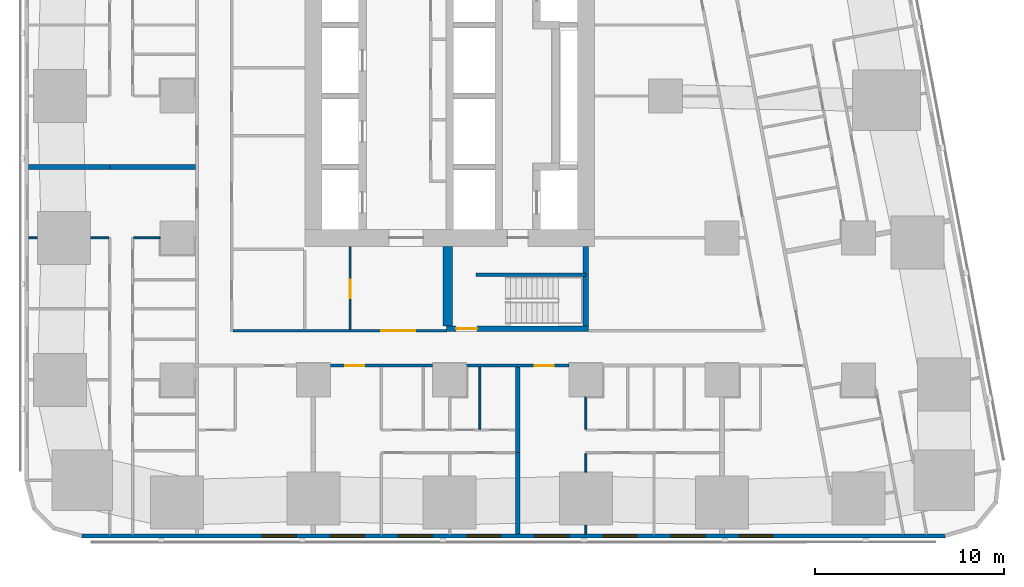
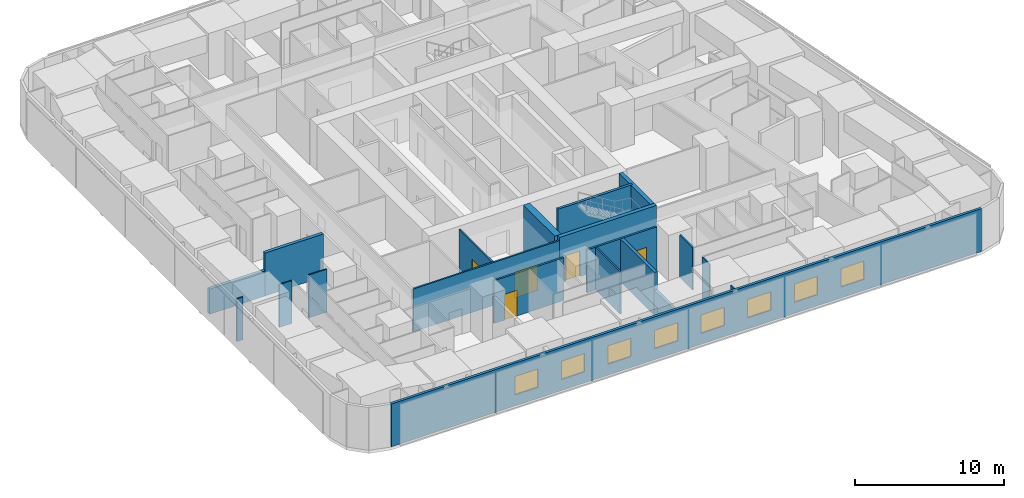
# One storey, part 3 of 18: 20 walls, 8 windows, 5 doors, 13 openings.
"""IFC4 building model written with IfcOpenShell, lengths in metres."""

from ifc_helpers import new_model, si_unit, direction, frame, frame_2d, origin, place, context, subcontext, project, spatial, rectangle, extrude, material, layer, layer_set, type_object, element, fill, save


model = new_model("IFC4")

# Units and contexts
model_context = context("Model", 3, precision=1e-05, world=origin(), true_north=direction((0.0, 1.0)))
body_context = subcontext(model_context, "Body", "Model", "MODEL_VIEW")
ifc_project = project(units=[si_unit("LENGTHUNIT", "METRE"), si_unit("AREAUNIT", "SQUARE_METRE"), si_unit("VOLUMEUNIT", "CUBIC_METRE"), si_unit("PLANEANGLEUNIT", "RADIAN"), si_unit("MASSUNIT", "GRAM", prefix="KILO")], contexts=[model_context])

# Site, building, storey
site_placement = place(None, origin())
site = spatial("IfcSite", under=ifc_project, at=site_placement, CompositionType="ELEMENT")
building_placement = place(site_placement, origin())
building = spatial("IfcBuilding", under=site, at=building_placement, Name="Sheger Commons Tower", CompositionType="ELEMENT")
storey_placement = place(building_placement, frame((0.0, 0.0, 31.25)))
storey = spatial("IfcBuildingStorey", under=building, at=storey_placement, Name="L07", CompositionType="ELEMENT", Elevation=31.25)

# Wall, opening, door
ifc_material_1 = material(Name="Hollow concrete block masonry, skimmed both sides", Category="masonry")
ifc_layer_1 = layer(ifc_material_1, 0.14990234375)
ifc_layer_set_1 = layer_set([ifc_layer_1], Name="CORRIDOR WALL 150")
wall_type_1 = type_object("IfcWallType", Name="CORRIDOR WALL 150", PredefinedType="SOLIDWALL", material=ifc_layer_set_1)
wall_1_placement = place(storey_placement, frame((27.89892578125, 8.25, 0.0), z_axis=(0.0, 0.0, 1.0), x_axis=(-1.0, 0.0, 0.0)))
wall_1 = element("IfcWall", 1, at=wall_1_placement, inside=storey, type_object=wall_type_1, Name="Corridor wall L07", PredefinedType="SOLIDWALL", context=body_context, shape_type="SweptSolid", body=[
    extrude(rectangle(XDim=5.39794921875, YDim=0.14990234375, at=frame_2d((2.698974609375, 0.0))), origin(), (0.0, 0.0, 1.0), 3.5),
])
opening_1_placement = place(wall_1_placement, frame((0.799072265625, 0.0, 0.0)))
opening_1 = element("IfcOpeningElement", 2, at=opening_1_placement, cuts=wall_1, Name="Opening D1", PredefinedType="OPENING", context=body_context, shape_type="SweptSolid", body=[
    extrude(rectangle(XDim=1.0, YDim=2.10009765625, at=frame_2d((0.5, 1.050048828125))), frame((0.0, 0.0849609375, 0.0), z_axis=(0.0, -1.0, 0.0), x_axis=(1.0, 0.0, 0.0)), (0.0, 0.0, 1.0), 0.169921875),
])
ifc_material_2 = material(Name="Steel door set, fire rated", Category="steel")
door_type_1 = type_object("IfcDoorType", Name="FLAT ENTRANCE DOOR 1000x2100", OperationType="NOTDEFINED", PredefinedType="DOOR", material=ifc_material_2)
door_1_placement = place(opening_1_placement, origin())
door_1 = element("IfcDoor", 3, at=door_1_placement, inside=storey, type_object=door_type_1, Name="Flat entrance door", OperationType="SINGLE_SWING_LEFT", OverallHeight=2.10009765625, OverallWidth=1.0, PredefinedType="DOOR", context=body_context, shape_type="SweptSolid", body=[
    extrude(rectangle(XDim=1.0, YDim=2.10009765625, at=frame_2d((0.5, 1.050048828125))), frame((0.0, 0.02490234375, 0.0), z_axis=(0.0, -1.0, 0.0), x_axis=(1.0, 0.0, 0.0)), (0.0, 0.0, 1.0), 0.050048828125),
])
fill(opening_1, door_1)

wall_2_placement = place(storey_placement, frame((20.698974609375, 8.25, 0.0), z_axis=(0.0, 0.0, 1.0), x_axis=(-1.0, 0.0, 0.0)))
wall_2 = element("IfcWall", 4, at=wall_2_placement, inside=storey, type_object=wall_type_1, Name="Corridor wall L07", PredefinedType="SOLIDWALL", context=body_context, shape_type="SweptSolid", body=[
    extrude(rectangle(XDim=5.39794921875, YDim=0.14990234375, at=frame_2d((2.698974609375, 0.0))), origin(), (0.0, 0.0, 1.0), 3.5),
])
opening_2_placement = place(wall_2_placement, frame((3.59912109375, 0.0, 0.0)))
opening_2 = element("IfcOpeningElement", 5, at=opening_2_placement, cuts=wall_2, Name="Opening D1", PredefinedType="OPENING", context=body_context, shape_type="SweptSolid", body=[
    extrude(rectangle(XDim=1.0, YDim=2.10009765625, at=frame_2d((0.5, 1.050048828125))), frame((0.0, 0.0849609375, 0.0), z_axis=(0.0, -1.0, 0.0), x_axis=(1.0, 0.0, 0.0)), (0.0, 0.0, 1.0), 0.169921875),
])
door_2_placement = place(opening_2_placement, origin())
door_2 = element("IfcDoor", 6, at=door_2_placement, inside=storey, type_object=door_type_1, Name="Flat entrance door", OperationType="SINGLE_SWING_RIGHT", OverallHeight=2.10009765625, OverallWidth=1.0, PredefinedType="DOOR", context=body_context, shape_type="SweptSolid", body=[
    extrude(rectangle(XDim=1.0, YDim=2.10009765625, at=frame_2d((0.5, 1.050048828125))), frame((0.0, 0.02490234375, 0.0), z_axis=(0.0, -1.0, 0.0), x_axis=(1.0, 0.0, 0.0)), (0.0, 0.0, 1.0), 0.050048828125),
])
fill(opening_2, door_2)

# Walls
ifc_material_3 = material(Name="Dense concrete block masonry, plastered both sides (separating wall between flats)", Category="masonry")
ifc_layer_2 = layer(ifc_material_3, 0.25)
ifc_layer_set_2 = layer_set([ifc_layer_2], Name="DEMISING WALL 250")
wall_type_2 = type_object("IfcWallType", Name="DEMISING WALL 250", PredefinedType="SOLIDWALL", material=ifc_layer_set_2)
wall_3_placement = place(storey_placement, frame((-0.64990234375, 18.75, 0.0), z_axis=(0.0, 0.0, 1.0), x_axis=(1.0, 0.0, 0.0)))
element("IfcWall", 7, at=wall_3_placement, inside=storey, type_object=wall_type_2, Name="Demising wall L07", PredefinedType="SOLIDWALL", context=body_context, shape_type="SweptSolid", body=[
    extrude(rectangle(XDim=4.2998046875, YDim=0.25, at=frame_2d((2.14990234375, 0.0))), origin(), (0.0, 0.0, 1.0), 2.050048828125),
])
wall_4_placement = place(storey_placement, frame((3.64990234375, 18.75, 0.0), z_axis=(0.0, 0.0, 1.0), x_axis=(1.0, 0.0, 0.0)))
element("IfcWall", 8, at=wall_4_placement, inside=storey, type_object=wall_type_2, Name="Demising wall L07", PredefinedType="SOLIDWALL", context=body_context, shape_type="SweptSolid", body=[
    extrude(rectangle(XDim=4.525146484375, YDim=0.25, at=frame_2d((2.2626953125, 0.0))), origin(), (0.0, 0.0, 1.0), 3.5),
])
wall_5_placement = place(storey_placement, frame((25.199951171875, -0.64990234375, 0.0), z_axis=(0.0, 0.0, 1.0), x_axis=(0.0, 1.0, 0.0)))
element("IfcWall", 9, at=wall_5_placement, inside=storey, type_object=wall_type_2, Name="Demising wall L07", PredefinedType="SOLIDWALL", context=body_context, shape_type="SweptSolid", body=[
    extrude(rectangle(XDim=4.2998046875, YDim=0.25, at=frame_2d((2.14990234375, 0.0))), origin(), (0.0, 0.0, 1.0), 2.050048828125),
])
wall_6_placement = place(storey_placement, frame((25.199951171875, 3.64990234375, 0.0), z_axis=(0.0, 0.0, 1.0), x_axis=(0.0, 1.0, 0.0)))
element("IfcWall", 10, at=wall_6_placement, inside=storey, type_object=wall_type_2, Name="Demising wall L07", PredefinedType="SOLIDWALL", context=body_context, shape_type="SweptSolid", body=[
    extrude(rectangle(XDim=4.525146484375, YDim=0.25, at=frame_2d((2.2626953125, 0.0))), origin(), (0.0, 0.0, 1.0), 3.5),
])

# Wall, openings, windows
ifc_material_4 = material(Name="Rendered concrete block masonry, dark grey", Category="masonry")
ifc_layer_3 = layer(ifc_material_4, 0.199951171875)
ifc_layer_set_3 = layer_set([ifc_layer_3], Name="FACADE WALL 200")
wall_type_3 = type_object("IfcWallType", Name="FACADE WALL 200", PredefinedType="SOLIDWALL", material=ifc_layer_set_3)
wall_7_placement = place(storey_placement, frame((2.1630859375, -0.75, 0.0), z_axis=(0.0, 0.0, 1.0), x_axis=(1.0, 0.0, 0.0)))
wall_7 = element("IfcWall", 11, at=wall_7_placement, inside=storey, type_object=wall_type_3, Name="Facade wall L07", PredefinedType="SOLIDWALL", context=body_context, shape_type="SweptSolid", body=[
    extrude(rectangle(XDim=45.6279296875, YDim=0.199951171875, at=frame_2d((22.81396484375, 0.0))), origin(), (0.0, 0.0, 1.0), 3.5),
])
opening_3_placement = place(wall_7_placement, frame((9.537109375, 0.0, 0.89990234375)))
opening_3 = element("IfcOpeningElement", 12, at=opening_3_placement, cuts=wall_7, Name="Opening W2", PredefinedType="OPENING", context=body_context, shape_type="SweptSolid", body=[
    extrude(rectangle(XDim=1.800048828125, YDim=1.5, at=frame_2d((0.89990234375, 0.75))), frame((0.0, 0.10986328125, 0.0), z_axis=(0.0, -1.0, 0.0), x_axis=(1.0, 0.0, 0.0)), (0.0, 0.0, 1.0), 0.219970703125),
])
opening_4_placement = place(wall_7_placement, frame((13.136962890625, 0.0, 0.89990234375)))
opening_4 = element("IfcOpeningElement", 13, at=opening_4_placement, cuts=wall_7, Name="Opening W2", PredefinedType="OPENING", context=body_context, shape_type="SweptSolid", body=[
    extrude(rectangle(XDim=1.800048828125, YDim=1.5, at=frame_2d((0.89990234375, 0.75))), frame((0.0, 0.10986328125, 0.0), z_axis=(0.0, -1.0, 0.0), x_axis=(1.0, 0.0, 0.0)), (0.0, 0.0, 1.0), 0.219970703125),
])
opening_5_placement = place(wall_7_placement, frame((16.737060546875, 0.0, 0.89990234375)))
opening_5 = element("IfcOpeningElement", 14, at=opening_5_placement, cuts=wall_7, Name="Opening W2", PredefinedType="OPENING", context=body_context, shape_type="SweptSolid", body=[
    extrude(rectangle(XDim=1.800048828125, YDim=1.5, at=frame_2d((0.89990234375, 0.75))), frame((0.0, 0.10986328125, 0.0), z_axis=(0.0, -1.0, 0.0), x_axis=(1.0, 0.0, 0.0)), (0.0, 0.0, 1.0), 0.219970703125),
])
opening_6_placement = place(wall_7_placement, frame((20.3369140625, 0.0, 0.89990234375)))
opening_6 = element("IfcOpeningElement", 15, at=opening_6_placement, cuts=wall_7, Name="Opening W2", PredefinedType="OPENING", context=body_context, shape_type="SweptSolid", body=[
    extrude(rectangle(XDim=1.800048828125, YDim=1.5, at=frame_2d((0.89990234375, 0.75))), frame((0.0, 0.10986328125, 0.0), z_axis=(0.0, -1.0, 0.0), x_axis=(1.0, 0.0, 0.0)), (0.0, 0.0, 1.0), 0.219970703125),
])
opening_7_placement = place(wall_7_placement, frame((23.93701171875, 0.0, 0.89990234375)))
opening_7 = element("IfcOpeningElement", 16, at=opening_7_placement, cuts=wall_7, Name="Opening W2", PredefinedType="OPENING", context=body_context, shape_type="SweptSolid", body=[
    extrude(rectangle(XDim=1.800048828125, YDim=1.5, at=frame_2d((0.89990234375, 0.75))), frame((0.0, 0.10986328125, 0.0), z_axis=(0.0, -1.0, 0.0), x_axis=(1.0, 0.0, 0.0)), (0.0, 0.0, 1.0), 0.219970703125),
])
opening_8_placement = place(wall_7_placement, frame((27.537109375, 0.0, 0.89990234375)))
opening_8 = element("IfcOpeningElement", 17, at=opening_8_placement, cuts=wall_7, Name="Opening W2", PredefinedType="OPENING", context=body_context, shape_type="SweptSolid", body=[
    extrude(rectangle(XDim=1.800048828125, YDim=1.5, at=frame_2d((0.89990234375, 0.75))), frame((0.0, 0.10986328125, 0.0), z_axis=(0.0, -1.0, 0.0), x_axis=(1.0, 0.0, 0.0)), (0.0, 0.0, 1.0), 0.219970703125),
])
opening_9_placement = place(wall_7_placement, frame((31.136962890625, 0.0, 0.89990234375)))
opening_9 = element("IfcOpeningElement", 18, at=opening_9_placement, cuts=wall_7, Name="Opening W2", PredefinedType="OPENING", context=body_context, shape_type="SweptSolid", body=[
    extrude(rectangle(XDim=1.800048828125, YDim=1.5, at=frame_2d((0.89990234375, 0.75))), frame((0.0, 0.10986328125, 0.0), z_axis=(0.0, -1.0, 0.0), x_axis=(1.0, 0.0, 0.0)), (0.0, 0.0, 1.0), 0.219970703125),
])
opening_10_placement = place(wall_7_placement, frame((34.737060546875, 0.0, 0.89990234375)))
opening_10 = element("IfcOpeningElement", 19, at=opening_10_placement, cuts=wall_7, Name="Opening W2", PredefinedType="OPENING", context=body_context, shape_type="SweptSolid", body=[
    extrude(rectangle(XDim=1.800048828125, YDim=1.5, at=frame_2d((0.89990234375, 0.75))), frame((0.0, 0.10986328125, 0.0), z_axis=(0.0, -1.0, 0.0), x_axis=(1.0, 0.0, 0.0)), (0.0, 0.0, 1.0), 0.219970703125),
])
ifc_material_5 = material(Name="Black aluminium frame, dark tinted double glazing", Category="aluminium")
window_type = type_object("IfcWindowType", Name="WINDOW W2 1800x1500", PartitioningType="SINGLE_PANEL", PredefinedType="WINDOW", material=ifc_material_5)
window_1_placement = place(opening_3_placement, origin())
window_1 = element("IfcWindow", 20, at=window_1_placement, inside=storey, type_object=window_type, Name="Window W2 1800X1500", OverallHeight=1.5, OverallWidth=1.800048828125, PartitioningType="SINGLE_PANEL", PredefinedType="WINDOW", context=body_context, shape_type="SweptSolid", body=[
    extrude(rectangle(XDim=1.800048828125, YDim=1.5, at=frame_2d((0.89990234375, 0.75))), frame((0.0, 0.030029296875, 0.0), z_axis=(0.0, -1.0, 0.0), x_axis=(1.0, 0.0, 0.0)), (0.0, 0.0, 1.0), 0.06005859375),
])
fill(opening_3, window_1)
window_2_placement = place(opening_4_placement, origin())
window_2 = element("IfcWindow", 21, at=window_2_placement, inside=storey, type_object=window_type, Name="Window W2 1800X1500", OverallHeight=1.5, OverallWidth=1.800048828125, PartitioningType="SINGLE_PANEL", PredefinedType="WINDOW", context=body_context, shape_type="SweptSolid", body=[
    extrude(rectangle(XDim=1.800048828125, YDim=1.5, at=frame_2d((0.89990234375, 0.75))), frame((0.0, 0.030029296875, 0.0), z_axis=(0.0, -1.0, 0.0), x_axis=(1.0, 0.0, 0.0)), (0.0, 0.0, 1.0), 0.06005859375),
])
fill(opening_4, window_2)
window_3_placement = place(opening_5_placement, origin())
window_3 = element("IfcWindow", 22, at=window_3_placement, inside=storey, type_object=window_type, Name="Window W2 1800X1500", OverallHeight=1.5, OverallWidth=1.800048828125, PartitioningType="SINGLE_PANEL", PredefinedType="WINDOW", context=body_context, shape_type="SweptSolid", body=[
    extrude(rectangle(XDim=1.800048828125, YDim=1.5, at=frame_2d((0.89990234375, 0.75))), frame((0.0, 0.030029296875, 0.0), z_axis=(0.0, -1.0, 0.0), x_axis=(1.0, 0.0, 0.0)), (0.0, 0.0, 1.0), 0.06005859375),
])
fill(opening_5, window_3)
window_4_placement = place(opening_6_placement, origin())
window_4 = element("IfcWindow", 23, at=window_4_placement, inside=storey, type_object=window_type, Name="Window W2 1800X1500", OverallHeight=1.5, OverallWidth=1.800048828125, PartitioningType="SINGLE_PANEL", PredefinedType="WINDOW", context=body_context, shape_type="SweptSolid", body=[
    extrude(rectangle(XDim=1.800048828125, YDim=1.5, at=frame_2d((0.89990234375, 0.75))), frame((0.0, 0.030029296875, 0.0), z_axis=(0.0, -1.0, 0.0), x_axis=(1.0, 0.0, 0.0)), (0.0, 0.0, 1.0), 0.06005859375),
])
fill(opening_6, window_4)
window_5_placement = place(opening_7_placement, origin())
window_5 = element("IfcWindow", 24, at=window_5_placement, inside=storey, type_object=window_type, Name="Window W2 1800X1500", OverallHeight=1.5, OverallWidth=1.800048828125, PartitioningType="SINGLE_PANEL", PredefinedType="WINDOW", context=body_context, shape_type="SweptSolid", body=[
    extrude(rectangle(XDim=1.800048828125, YDim=1.5, at=frame_2d((0.89990234375, 0.75))), frame((0.0, 0.030029296875, 0.0), z_axis=(0.0, -1.0, 0.0), x_axis=(1.0, 0.0, 0.0)), (0.0, 0.0, 1.0), 0.06005859375),
])
fill(opening_7, window_5)
window_6_placement = place(opening_8_placement, origin())
window_6 = element("IfcWindow", 25, at=window_6_placement, inside=storey, type_object=window_type, Name="Window W2 1800X1500", OverallHeight=1.5, OverallWidth=1.800048828125, PartitioningType="SINGLE_PANEL", PredefinedType="WINDOW", context=body_context, shape_type="SweptSolid", body=[
    extrude(rectangle(XDim=1.800048828125, YDim=1.5, at=frame_2d((0.89990234375, 0.75))), frame((0.0, 0.030029296875, 0.0), z_axis=(0.0, -1.0, 0.0), x_axis=(1.0, 0.0, 0.0)), (0.0, 0.0, 1.0), 0.06005859375),
])
fill(opening_8, window_6)
window_7_placement = place(opening_9_placement, origin())
window_7 = element("IfcWindow", 26, at=window_7_placement, inside=storey, type_object=window_type, Name="Window W2 1800X1500", OverallHeight=1.5, OverallWidth=1.800048828125, PartitioningType="SINGLE_PANEL", PredefinedType="WINDOW", context=body_context, shape_type="SweptSolid", body=[
    extrude(rectangle(XDim=1.800048828125, YDim=1.5, at=frame_2d((0.89990234375, 0.75))), frame((0.0, 0.030029296875, 0.0), z_axis=(0.0, -1.0, 0.0), x_axis=(1.0, 0.0, 0.0)), (0.0, 0.0, 1.0), 0.06005859375),
])
fill(opening_9, window_7)
window_8_placement = place(opening_10_placement, origin())
window_8 = element("IfcWindow", 27, at=window_8_placement, inside=storey, type_object=window_type, Name="Window W2 1800X1500", OverallHeight=1.5, OverallWidth=1.800048828125, PartitioningType="SINGLE_PANEL", PredefinedType="WINDOW", context=body_context, shape_type="SweptSolid", body=[
    extrude(rectangle(XDim=1.800048828125, YDim=1.5, at=frame_2d((0.89990234375, 0.75))), frame((0.0, 0.030029296875, 0.0), z_axis=(0.0, -1.0, 0.0), x_axis=(1.0, 0.0, 0.0)), (0.0, 0.0, 1.0), 0.06005859375),
])
fill(opening_10, window_8)

# Walls
ifc_material_6 = material(Name="Gypsum board on steel studs", Category="steel")
ifc_layer_4 = layer(ifc_material_6, 0.10009765625)
ifc_layer_set_4 = layer_set([ifc_layer_4], Name="PARTITION 100")
wall_type_4 = type_object("IfcWallType", Name="PARTITION 100", PredefinedType="PARTITIONING", material=ifc_layer_set_4)
wall_8_placement = place(storey_placement, frame((-0.64990234375, 15.0, 0.0), z_axis=(0.0, 0.0, 1.0), x_axis=(1.0, 0.0, 0.0)))
element("IfcWall", 28, at=wall_8_placement, inside=storey, type_object=wall_type_4, Name="Partition L07", PredefinedType="PARTITIONING", context=body_context, shape_type="SweptSolid", body=[
    extrude(rectangle(XDim=0.473876953125, YDim=0.10009765625, at=frame_2d((0.23681640625, 0.0))), origin(), (0.0, 0.0, 1.0), 3.5),
])
wall_9_placement = place(storey_placement, frame((2.6259765625, 15.0, 0.0), z_axis=(0.0, 0.0, 1.0), x_axis=(1.0, 0.0, 0.0)))
element("IfcWall", 29, at=wall_9_placement, inside=storey, type_object=wall_type_4, Name="Partition L07", PredefinedType="PARTITIONING", context=body_context, shape_type="SweptSolid", body=[
    extrude(rectangle(XDim=0.97412109375, YDim=0.10009765625, at=frame_2d((0.487060546875, 0.0))), origin(), (0.0, 0.0, 1.0), 3.5),
])
wall_10_placement = place(storey_placement, frame((4.89990234375, 15.0, 0.0), z_axis=(0.0, 0.0, 1.0), x_axis=(1.0, 0.0, 0.0)))
element("IfcWall", 30, at=wall_10_placement, inside=storey, type_object=wall_type_4, Name="Partition L07", PredefinedType="PARTITIONING", context=body_context, shape_type="SweptSolid", body=[
    extrude(rectangle(XDim=1.399169921875, YDim=0.10009765625, at=frame_2d((0.69970703125, 0.0))), origin(), (0.0, 0.0, 1.0), 3.5),
])
wall_11_placement = place(storey_placement, frame((23.199951171875, 4.89990234375, 0.0), z_axis=(0.0, 0.0, 1.0), x_axis=(0.0, 1.0, 0.0)))
element("IfcWall", 31, at=wall_11_placement, inside=storey, type_object=wall_type_4, Name="Partition L07", PredefinedType="PARTITIONING", context=body_context, shape_type="SweptSolid", body=[
    extrude(rectangle(XDim=3.275146484375, YDim=0.10009765625, at=frame_2d((1.6376953125, 0.0))), origin(), (0.0, 0.0, 1.0), 3.5),
])
wall_12_placement = place(storey_placement, frame((28.800048828125, -0.64990234375, 0.0), z_axis=(0.0, 0.0, 1.0), x_axis=(0.0, 1.0, 0.0)))
element("IfcWall", 32, at=wall_12_placement, inside=storey, type_object=wall_type_4, Name="Partition L07", PredefinedType="PARTITIONING", context=body_context, shape_type="SweptSolid", body=[
    extrude(rectangle(XDim=0.473876953125, YDim=0.10009765625, at=frame_2d((0.23681640625, 0.0))), origin(), (0.0, 0.0, 1.0), 3.5),
])
wall_13_placement = place(storey_placement, frame((28.800048828125, 2.6259765625, 0.0), z_axis=(0.0, 0.0, 1.0), x_axis=(0.0, 1.0, 0.0)))
element("IfcWall", 33, at=wall_13_placement, inside=storey, type_object=wall_type_4, Name="Partition L07", PredefinedType="PARTITIONING", context=body_context, shape_type="SweptSolid", body=[
    extrude(rectangle(XDim=0.97412109375, YDim=0.10009765625, at=frame_2d((0.487060546875, 0.0))), origin(), (0.0, 0.0, 1.0), 3.5),
])
wall_14_placement = place(storey_placement, frame((28.800048828125, 4.89990234375, 0.0), z_axis=(0.0, 0.0, 1.0), x_axis=(0.0, 1.0, 0.0)))
element("IfcWall", 34, at=wall_14_placement, inside=storey, type_object=wall_type_4, Name="Partition L07", PredefinedType="PARTITIONING", context=body_context, shape_type="SweptSolid", body=[
    extrude(rectangle(XDim=1.69921875, YDim=0.10009765625, at=frame_2d((0.849609375, 0.0))), origin(), (0.0, 0.0, 1.0), 3.5),
])

# Wall, opening, door
ifc_material_7 = material(Name="Gypsum board on steel studs, two layers each side, fire rated", Category="steel")
ifc_layer_5 = layer(ifc_material_7, 0.125)
ifc_layer_set_5 = layer_set([ifc_layer_5], Name="SERVICE WALL 125")
wall_type_5 = type_object("IfcWallType", Name="SERVICE WALL 125", PredefinedType="PARTITIONING", material=ifc_layer_set_5)
wall_15_placement = place(storey_placement, frame((10.1630859375, 10.10009765625, 0.0), z_axis=(0.0, 0.0, 1.0), x_axis=(1.0, 0.0, 0.0)))
wall_15 = element("IfcWall", 35, at=wall_15_placement, inside=storey, type_object=wall_type_5, Name="Service room wall L07", PredefinedType="PARTITIONING", context=body_context, shape_type="SweptSolid", body=[
    extrude(rectangle(XDim=11.286865234375, YDim=0.125, at=frame_2d((5.6435546875, 0.0))), origin(), (0.0, 0.0, 1.0), 3.5),
])
opening_11_placement = place(wall_15_placement, frame((7.83203125, 0.0, 0.0)))
opening_11 = element("IfcOpeningElement", 36, at=opening_11_placement, cuts=wall_15, Name="Opening D6", PredefinedType="OPENING", context=body_context, shape_type="SweptSolid", body=[
    extrude(rectangle(XDim=1.800048828125, YDim=2.10009765625, at=frame_2d((0.89990234375, 1.050048828125))), frame((0.0, 0.072509765625, 0.0), z_axis=(0.0, -1.0, 0.0), x_axis=(1.0, 0.0, 0.0)), (0.0, 0.0, 1.0), 0.14501953125),
])
ifc_material_8 = material(Name="Steel door set, fire rated", Category="steel")
door_type_2 = type_object("IfcDoorType", Name="LOBBY DOUBLE DOOR 1800x2100", OperationType="DOUBLE_DOOR_SINGLE_SWING", PredefinedType="DOOR", material=ifc_material_8)
door_3_placement = place(opening_11_placement, origin())
door_3 = element("IfcDoor", 37, at=door_3_placement, inside=storey, type_object=door_type_2, Name="Lift lobby south door", OperationType="DOUBLE_DOOR_SINGLE_SWING", OverallHeight=2.10009765625, OverallWidth=1.800048828125, PredefinedType="DOOR", context=body_context, shape_type="SweptSolid", body=[
    extrude(rectangle(XDim=1.800048828125, YDim=2.10009765625, at=frame_2d((0.89990234375, 1.050048828125))), frame((0.0, 0.02490234375, 0.0), z_axis=(0.0, -1.0, 0.0), x_axis=(1.0, 0.0, 0.0)), (0.0, 0.0, 1.0), 0.050048828125),
])
fill(opening_11, door_3)

wall_16_placement = place(storey_placement, frame((16.340087890625, 10.1630859375, 0.0), z_axis=(0.0, 0.0, 1.0), x_axis=(0.0, 1.0, 0.0)))
wall_16 = element("IfcWall", 38, at=wall_16_placement, inside=storey, type_object=wall_type_5, Name="Service room wall L07", PredefinedType="PARTITIONING", context=body_context, shape_type="SweptSolid", body=[
    extrude(rectangle(XDim=4.386962890625, YDim=0.125, at=frame_2d((2.193359375, 0.0))), origin(), (0.0, 0.0, 1.0), 3.5),
])
opening_12_placement = place(wall_16_placement, frame((1.636962890625, 0.0, 0.0)))
opening_12 = element("IfcOpeningElement", 39, at=opening_12_placement, cuts=wall_16, Name="Opening D4", PredefinedType="OPENING", context=body_context, shape_type="SweptSolid", body=[
    extrude(rectangle(XDim=1.0, YDim=2.10009765625, at=frame_2d((0.5, 1.050048828125))), frame((0.0, 0.072509765625, 0.0), z_axis=(0.0, -1.0, 0.0), x_axis=(1.0, 0.0, 0.0)), (0.0, 0.0, 1.0), 0.14501953125),
])
ifc_material_9 = material(Name="Steel door set, fire rated", Category="steel")
door_type_3 = type_object("IfcDoorType", Name="SERVICE DOOR 1000x2100", OperationType="NOTDEFINED", PredefinedType="DOOR", material=ifc_material_9)
door_4_placement = place(opening_12_placement, origin())
door_4 = element("IfcDoor", 40, at=door_4_placement, inside=storey, type_object=door_type_3, Name="Electrical room door", OperationType="SINGLE_SWING_LEFT", OverallHeight=2.10009765625, OverallWidth=1.0, PredefinedType="DOOR", context=body_context, shape_type="SweptSolid", body=[
    extrude(rectangle(XDim=1.0, YDim=2.10009765625, at=frame_2d((0.5, 1.050048828125))), frame((0.0, 0.02490234375, 0.0), z_axis=(0.0, -1.0, 0.0), x_axis=(1.0, 0.0, 0.0)), (0.0, 0.0, 1.0), 0.050048828125),
])
fill(opening_12, door_4)

ifc_material_10 = material(Name="Concrete C50/60", Category="concrete")
ifc_layer_6 = layer(ifc_material_10, 0.300048828125)
ifc_layer_set_6 = layer_set([ifc_layer_6], Name="STAIR CORE WALL 300")
wall_type_6 = type_object("IfcWallType", Name="STAIR CORE WALL 300", PredefinedType="SHEAR", material=ifc_layer_set_6)
wall_17_placement = place(storey_placement, frame((21.449951171875, 10.199951171875, 0.0), z_axis=(0.0, 0.0, 1.0), x_axis=(1.0, 0.0, 0.0)))
wall_17 = element("IfcWall", 41, at=wall_17_placement, inside=storey, type_object=wall_type_6, Name="STW-L07-S1S", PredefinedType="SHEAR", context=body_context, shape_type="SweptSolid", body=[
    extrude(rectangle(XDim=7.5, YDim=0.300048828125, at=frame_2d((3.75, 0.0))), origin(), (0.0, 0.0, 1.0), 3.75),
])
opening_13_placement = place(wall_17_placement, frame((0.5, 0.0, 0.0)))
opening_13 = element("IfcOpeningElement", 42, at=opening_13_placement, cuts=wall_17, Name="Opening D5", PredefinedType="OPENING", context=body_context, shape_type="SweptSolid", body=[
    extrude(rectangle(XDim=1.10009765625, YDim=2.10009765625, at=frame_2d((0.550048828125, 1.050048828125))), frame((0.0, 0.159912109375, 0.0), z_axis=(0.0, -1.0, 0.0), x_axis=(1.0, 0.0, 0.0)), (0.0, 0.0, 1.0), 0.320068359375),
])
ifc_material_11 = material(Name="Steel door set, fire rated", Category="steel")
door_type_4 = type_object("IfcDoorType", Name="STAIR DOOR 1100x2100", OperationType="NOTDEFINED", PredefinedType="DOOR", material=ifc_material_11)
door_5_placement = place(opening_13_placement, origin())
door_5 = element("IfcDoor", 43, at=door_5_placement, inside=storey, type_object=door_type_4, Name="Stair S1 door", OperationType="SINGLE_SWING_LEFT", OverallHeight=2.10009765625, OverallWidth=1.10009765625, PredefinedType="DOOR", context=body_context, shape_type="SweptSolid", body=[
    extrude(rectangle(XDim=1.10009765625, YDim=2.10009765625, at=frame_2d((0.550048828125, 1.050048828125))), frame((0.0, 0.02490234375, 0.0), z_axis=(0.0, -1.0, 0.0), x_axis=(1.0, 0.0, 0.0)), (0.0, 0.0, 1.0), 0.050048828125),
])
fill(opening_13, door_5)

# Walls
wall_18_placement = place(storey_placement, frame((28.800048828125, 10.35009765625, 0.0), z_axis=(0.0, 0.0, 1.0), x_axis=(0.0, 1.0, 0.0)))
element("IfcWall", 44, at=wall_18_placement, inside=storey, type_object=wall_type_6, Name="STW-L07-S1E", PredefinedType="SHEAR", context=body_context, shape_type="SweptSolid", body=[
    extrude(rectangle(XDim=4.199951171875, YDim=0.300048828125, at=frame_2d((2.10009765625, 0.0))), origin(), (0.0, 0.0, 1.0), 3.75),
])
ifc_material_12 = material(Name="Concrete C50/60", Category="concrete")
ifc_layer_7 = layer(ifc_material_12, 0.5)
ifc_layer_set_7 = layer_set([ifc_layer_7], Name="STAIR CORE WALL 500")
wall_type_7 = type_object("IfcWallType", Name="STAIR CORE WALL 500", PredefinedType="SHEAR", material=ifc_layer_set_7)
wall_19_placement = place(storey_placement, frame((21.5, 10.35009765625, 0.0), z_axis=(0.0, 0.0, 1.0), x_axis=(0.0, 1.0, 0.0)))
element("IfcWall", 45, at=wall_19_placement, inside=storey, type_object=wall_type_7, Name="STW-L07-S1W", PredefinedType="SHEAR", context=body_context, shape_type="SweptSolid", body=[
    extrude(rectangle(XDim=4.199951171875, YDim=0.5, at=frame_2d((2.10009765625, 0.0))), origin(), (0.0, 0.0, 1.0), 3.75),
])
ifc_material_13 = material(Name="Concrete C50/60", Category="concrete")
ifc_layer_8 = layer(ifc_material_13, 0.199951171875)
ifc_layer_set_8 = layer_set([ifc_layer_8], Name="STAIR SPINE WALL 200")
wall_type_8 = type_object("IfcWallType", Name="STAIR SPINE WALL 200", PredefinedType="SHEAR", material=ifc_layer_set_8)
wall_20_placement = place(storey_placement, frame((23.0, 13.050048828125, 0.0), z_axis=(0.0, 0.0, 1.0), x_axis=(1.0, 0.0, 0.0)))
element("IfcWall", 46, at=wall_20_placement, inside=storey, type_object=wall_type_8, Name="Stair spine wall L07", PredefinedType="SHEAR", context=body_context, shape_type="SweptSolid", body=[
    extrude(rectangle(XDim=5.800048828125, YDim=0.199951171875, at=frame_2d((2.89990234375, 0.0))), origin(), (0.0, 0.0, 1.0), 3.75),
])

save(model, "model.ifc")
